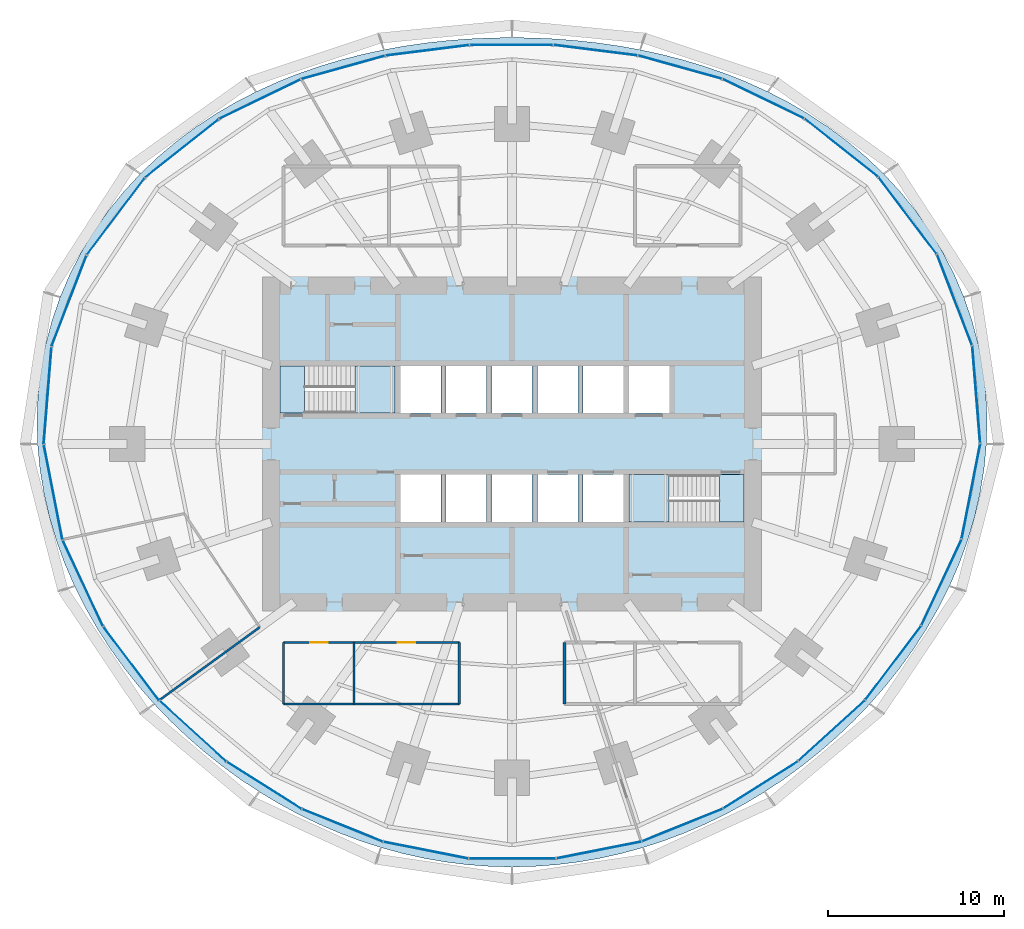
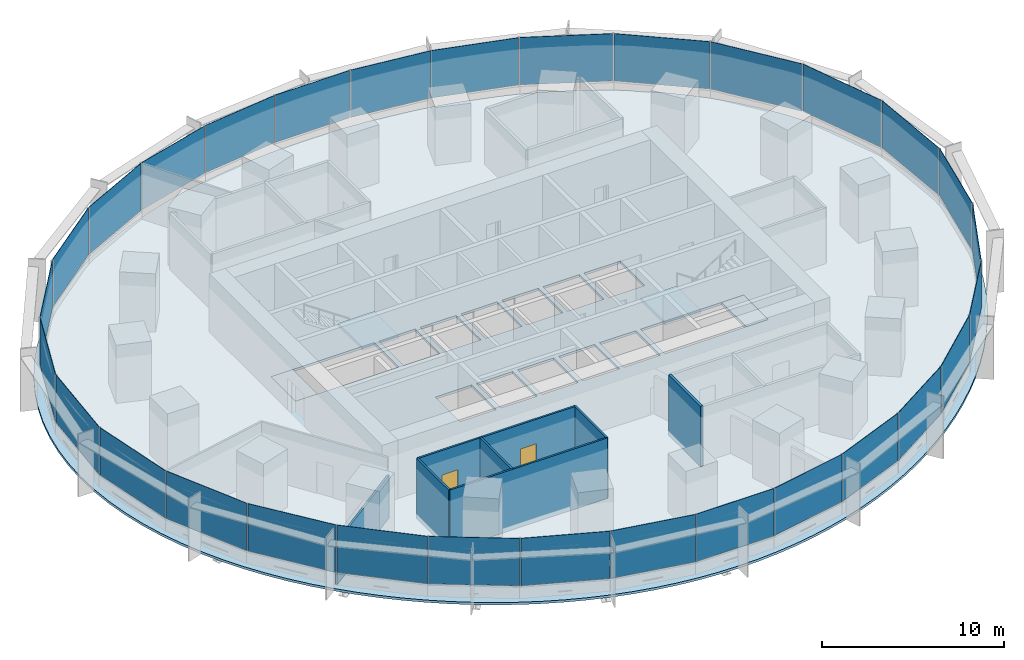
# One storey, part 10 of 15: 30 plates, 7 walls, 5 slabs, 2 doors, 2 openings, 8 elements without a shape of their own.
"""IFC4 building model written with IfcOpenShell, lengths in metres."""

from ifc_helpers import new_model, si_unit, direction, frame, frame_2d, origin, origin_2d, place, context, subcontext, project, spatial, polyline, rectangle, outline, extrude, material, layer, layer_set, type_object, element, fill, aggregate, save


model = new_model("IFC4")

# Units and contexts
model_context = context("Model", 3, precision=1e-05, world=origin(), true_north=direction((0.0, 1.0)))
body_context = subcontext(model_context, "Body", "Model", "MODEL_VIEW")
ifc_project = project(units=[si_unit("LENGTHUNIT", "METRE"), si_unit("AREAUNIT", "SQUARE_METRE"), si_unit("VOLUMEUNIT", "CUBIC_METRE"), si_unit("PLANEANGLEUNIT", "RADIAN"), si_unit("MASSUNIT", "GRAM", prefix="KILO")], contexts=[model_context])

# Site, building, storey
site_placement = place(None, origin())
site = spatial("IfcSite", under=ifc_project, at=site_placement, CompositionType="ELEMENT")
building_placement = place(site_placement, origin())
building = spatial("IfcBuilding", under=site, at=building_placement, Name="Marramba Exchange Tower", CompositionType="ELEMENT")
storey_placement = place(building_placement, frame((0.0, 0.0, 23.800048828125)))
storey = spatial("IfcBuildingStorey", under=building, at=storey_placement, Name="L05", CompositionType="ELEMENT", Elevation=23.800048828125)

# Slab
ifc_material_1 = material(Name="Concrete N40", Category="concrete")
ifc_layer_1 = layer(ifc_material_1, 0.159912109375)
ifc_layer_set_1 = layer_set([ifc_layer_1], Name="Composite floor slab 160")
slab_type_1 = type_object("IfcSlabType", Name="Composite floor slab 160", PredefinedType="FLOOR", material=ifc_layer_set_1)
slab_1_placement = place(storey_placement, frame((0.0, 0.0, -0.16015625)))
element("IfcSlab", 1, at=slab_1_placement, inside=storey, type_object=slab_type_1, Name="Floor slab L05", PredefinedType="FLOOR", context=body_context, shape_type="SweptSolid", body=[
    extrude(outline(polyline([(27.0, 0.0), (27.035888671875, 1.4169921875), (26.97265625, 2.8349609375), (26.80859375, 4.24609375), (26.5439453125, 5.64208984375), (26.179443359375, 7.0146484375), (25.717529296875, 8.356201171875), (25.16162109375, 9.65869140625), (24.516357421875, 10.915283203125), (23.786865234375, 12.1201171875), (22.9794921875, 13.267333984375), (22.10107421875, 14.3525390625), (21.158447265625, 15.37255859375), (20.159423828125, 16.32470703125), (19.11083984375, 17.20751953125), (18.020263671875, 18.020263671875), (16.89453125, 18.763427734375), (15.740478515625, 19.437744140625), (14.563720703125, 20.04541015625), (13.3701171875, 20.588134765625), (12.164306640625, 21.069091796875), (10.9501953125, 21.4912109375), (9.7314453125, 21.857421875), (8.5107421875, 22.1708984375), (7.289794921875, 22.435302734375), (6.06982421875, 22.6533203125), (4.85205078125, 22.827392578125), (3.636474609375, 22.96044921875), (2.423095703125, 23.053955078125), (1.211181640625, 23.109619140625), (0.0, 23.1279296875), (-1.211181640625, 23.109619140625), (-2.423095703125, 23.053955078125), (-3.636474609375, 22.96044921875), (-4.85205078125, 22.827392578125), (-6.06982421875, 22.6533203125), (-7.289794921875, 22.435302734375), (-8.5107421875, 22.1708984375), (-9.7314453125, 21.857421875), (-10.9501953125, 21.4912109375), (-12.164306640625, 21.069091796875), (-13.3701171875, 20.588134765625), (-14.563720703125, 20.04541015625), (-15.740478515625, 19.437744140625), (-16.89453125, 18.763427734375), (-18.020263671875, 18.020263671875), (-19.11083984375, 17.20751953125), (-20.159423828125, 16.32470703125), (-21.158447265625, 15.37255859375), (-22.10107421875, 14.3525390625), (-22.9794921875, 13.267333984375), (-23.786865234375, 12.1201171875), (-24.516357421875, 10.915283203125), (-25.16162109375, 9.65869140625), (-25.717529296875, 8.356201171875), (-26.179443359375, 7.0146484375), (-26.5439453125, 5.64208984375), (-26.80859375, 4.24609375), (-26.97265625, 2.8349609375), (-27.035888671875, 1.4169921875), (-27.0, 0.0), (-26.8671875, -1.407958984375), (-26.64111328125, -2.800048828125), (-26.326171875, -4.169677734375), (-25.927001953125, -5.510986328125), (-25.44921875, -6.819091796875), (-24.8984375, -8.090087890625), (-24.280517578125, -9.320556640625), (-23.60107421875, -10.5078125), (-22.865234375, -11.650390625), (-22.078369140625, -12.7470703125), (-21.244873046875, -13.796630859375), (-20.36865234375, -14.798583984375), (-19.453369140625, -15.753173828125), (-18.502197265625, -16.659423828125), (-17.517578125, -17.517578125), (-16.501953125, -18.327392578125), (-15.457275390625, -19.088134765625), (-14.385009765625, -19.799072265625), (-13.286865234375, -20.459716796875), (-12.164306640625, -21.069091796875), (-11.01904296875, -21.6259765625), (-9.8525390625, -22.129150390625), (-8.66650390625, -22.577392578125), (-7.463134765625, -22.968994140625), (-6.244140625, -23.30322265625), (-5.01171875, -23.578369140625), (-3.7685546875, -23.793701171875), (-2.51708984375, -23.947998046875), (-1.260009765625, -24.041015625), (0.0, -24.072021484375), (1.260009765625, -24.041015625), (2.51708984375, -23.947998046875), (3.7685546875, -23.793701171875), (5.01171875, -23.578369140625), (6.244140625, -23.30322265625), (7.463134765625, -22.968994140625), (8.66650390625, -22.577392578125), (9.8525390625, -22.129150390625), (11.01904296875, -21.6259765625), (12.164306640625, -21.069091796875), (13.286865234375, -20.459716796875), (14.385009765625, -19.799072265625), (15.457275390625, -19.088134765625), (16.501953125, -18.327392578125), (17.517578125, -17.517578125), (18.502197265625, -16.659423828125), (19.453369140625, -15.753173828125), (20.36865234375, -14.798583984375), (21.244873046875, -13.796630859375), (22.078369140625, -12.7470703125), (22.865234375, -11.650390625), (23.60107421875, -10.5078125), (24.280517578125, -9.320556640625), (24.8984375, -8.090087890625), (25.44921875, -6.819091796875), (25.927001953125, -5.510986328125), (26.326171875, -4.169677734375), (26.64111328125, -2.800048828125), (26.8671875, -1.407958984375), (27.0, 0.0)]), holes=[polyline([(-6.35009765625, 1.75), (-4.050048828125, 1.75), (-4.050048828125, 4.449951171875), (-6.35009765625, 4.449951171875), (-6.35009765625, 1.75)]), polyline([(-3.75, 1.75), (-1.449951171875, 1.75), (-1.449951171875, 4.449951171875), (-3.75, 4.449951171875), (-3.75, 1.75)]), polyline([(-1.14990234375, 1.75), (1.14990234375, 1.75), (1.14990234375, 4.449951171875), (-1.14990234375, 4.449951171875), (-1.14990234375, 1.75)]), polyline([(1.449951171875, 1.75), (3.75, 1.75), (3.75, 4.449951171875), (1.449951171875, 4.449951171875), (1.449951171875, 1.75)]), polyline([(4.050048828125, 1.75), (6.35009765625, 1.75), (6.35009765625, 4.449951171875), (4.050048828125, 4.449951171875), (4.050048828125, 1.75)]), polyline([(-6.35009765625, -4.449951171875), (-4.050048828125, -4.449951171875), (-4.050048828125, -1.75), (-6.35009765625, -1.75), (-6.35009765625, -4.449951171875)]), polyline([(-3.75, -4.449951171875), (-1.449951171875, -4.449951171875), (-1.449951171875, -1.75), (-3.75, -1.75), (-3.75, -4.449951171875)]), polyline([(-1.14990234375, -4.449951171875), (1.14990234375, -4.449951171875), (1.14990234375, -1.75), (-1.14990234375, -1.75), (-1.14990234375, -4.449951171875)]), polyline([(1.449951171875, -4.449951171875), (3.75, -4.449951171875), (3.75, -1.75), (1.449951171875, -1.75), (1.449951171875, -4.449951171875)]), polyline([(4.050048828125, -4.449951171875), (6.35009765625, -4.449951171875), (6.35009765625, -1.75), (4.050048828125, -1.75), (4.050048828125, -4.449951171875)]), polyline([(6.64990234375, 1.75), (8.949951171875, 1.75), (8.949951171875, 4.449951171875), (6.64990234375, 4.449951171875), (6.64990234375, 1.75)]), polyline([(-13.199951171875, 1.75), (-6.64990234375, 1.75), (-6.64990234375, 4.449951171875), (-13.199951171875, 4.449951171875), (-13.199951171875, 1.75)]), polyline([(6.64990234375, -4.449951171875), (13.199951171875, -4.449951171875), (13.199951171875, -1.75), (6.64990234375, -1.75), (6.64990234375, -4.449951171875)])]), origin(), (0.0, 0.0, 1.0), 0.16015625),
])

# Stair, slabs
ifc_material_2 = material(Name="Concrete N40 (40 MPa)", Category="concrete")
stair_type_1 = type_object("IfcStairType", Name="Exit stair ST1 4200 x 1250", PredefinedType="HALF_TURN_STAIR", material=ifc_material_2)
stair_1_placement = place(storey_placement, origin())
stair_1 = element("IfcStair", 2, at=stair_1_placement, inside=storey, type_object=stair_type_1, Name="Exit stair ST1 L05", PredefinedType="HALF_TURN_STAIR")
ifc_layer_2 = layer(ifc_material_2, 0.199951171875)
ifc_layer_set_2 = layer_set([ifc_layer_2], Name="Stair landing 200")
slab_type_2 = type_object("IfcSlabType", Name="Stair landing 200", PredefinedType="LANDING", material=ifc_layer_set_2)
slab_2_placement = place(storey_placement, frame((0.0, 0.0, -0.199951171875)))
slab_2 = element("IfcSlab", 3, at=slab_2_placement, type_object=slab_type_2, Name="ST1 landing 1", PredefinedType="LANDING", context=body_context, shape_type="SweptSolid", body=[
    extrude(outline(polyline([(-13.199951171875, 1.75), (-11.800048828125, 1.75), (-11.800048828125, 4.449951171875), (-13.199951171875, 4.449951171875), (-13.199951171875, 1.75)])), origin(), (0.0, 0.0, 1.0), 0.199951171875),
])
slab_3_placement = place(storey_placement, frame((0.0, 0.0, 1.89990234375)))
slab_3 = element("IfcSlab", 4, at=slab_3_placement, type_object=slab_type_2, Name="ST1 landing 2", PredefinedType="LANDING", context=body_context, shape_type="SweptSolid", body=[
    extrude(outline(polyline([(-8.93994140625, 1.75), (-6.64990234375, 1.75), (-6.64990234375, 4.449951171875), (-8.93994140625, 4.449951171875), (-8.93994140625, 1.75)])), origin(), (0.0, 0.0, 1.0), 0.199951171875),
])
aggregate(stair_1, [slab_2, slab_3])

stair_type_2 = type_object("IfcStairType", Name="Exit stair ST2 4200 x 1250", PredefinedType="HALF_TURN_STAIR", material=ifc_material_2)
stair_2_placement = place(storey_placement, origin())
stair_2 = element("IfcStair", 5, at=stair_2_placement, inside=storey, type_object=stair_type_2, Name="Exit stair ST2 L05", PredefinedType="HALF_TURN_STAIR")
slab_4_placement = place(storey_placement, frame((0.0, 0.0, -0.199951171875)))
slab_4 = element("IfcSlab", 6, at=slab_4_placement, type_object=slab_type_2, Name="ST2 landing 1", PredefinedType="LANDING", context=body_context, shape_type="SweptSolid", body=[
    extrude(outline(polyline([(11.800048828125, -4.449951171875), (13.199951171875, -4.449951171875), (13.199951171875, -1.75), (11.800048828125, -1.75), (11.800048828125, -4.449951171875)])), origin(), (0.0, 0.0, 1.0), 0.199951171875),
])
slab_5_placement = place(storey_placement, frame((0.0, 0.0, 1.89990234375)))
slab_5 = element("IfcSlab", 7, at=slab_5_placement, type_object=slab_type_2, Name="ST2 landing 2", PredefinedType="LANDING", context=body_context, shape_type="SweptSolid", body=[
    extrude(outline(polyline([(6.64990234375, -4.449951171875), (8.93994140625, -4.449951171875), (8.93994140625, -1.75), (6.64990234375, -1.75), (6.64990234375, -4.449951171875)])), origin(), (0.0, 0.0, 1.0), 0.199951171875),
])
aggregate(stair_2, [slab_4, slab_5])

# Curtain wall, plates
ifc_material_3 = material(Name="Aluminium framing, bronze anodised", Category="aluminium")
curtain_wall_type = type_object("IfcCurtainWallType", Name="Trading floor ribbon curtain wall", PredefinedType="USERDEFINED", material=ifc_material_3)
curtain_wall_1_placement = place(storey_placement, origin())
curtain_wall_1 = element("IfcCurtainWall", 8, at=curtain_wall_1_placement, inside=storey, type_object=curtain_wall_type, Name="Curtain wall CW3 L05 F01-F05", ObjectType="RIBBON CURTAIN WALL", PredefinedType="USERDEFINED")
ifc_material_4 = material(Name="Double glazed unit 10 + 12 + 8.76, bronze tinted", Category="glass")
ifc_layer_3 = layer(ifc_material_4, 0.03076171875)
ifc_layer_set_3 = layer_set([ifc_layer_3], Name="Trading floor ribbon curtain wall panel")
plate_type = type_object("IfcPlateType", Name="Trading floor ribbon curtain wall panel", PredefinedType="CURTAIN_PANEL", material=ifc_layer_set_3)
plate_1_placement = place(storey_placement, frame((26.42333984375, 2.814453125, 0.85986328125), z_axis=(0.0, 0.0, 1.0), x_axis=(-0.080275225953, 0.996772736434, 0.0)))
plate_1 = element("IfcPlate", 9, at=plate_1_placement, type_object=plate_type, Name="CW3 vision panel", PredefinedType="CURTAIN_PANEL", context=body_context, shape_type="SweptSolid", body=[
    extrude(rectangle(XDim=5.52734375, YDim=0.03076171875, at=origin_2d()), origin(), (0.0, 0.0, 1.0), 3.179931640625),
])
plate_2_placement = place(storey_placement, frame((25.188232421875, 8.19921875, 0.85986328125), z_axis=(0.0, 0.0, 1.0), x_axis=(-0.359525510698, 0.933135256626, 0.0)))
plate_2 = element("IfcPlate", 10, at=plate_2_placement, type_object=plate_type, Name="CW3 vision panel", PredefinedType="CURTAIN_PANEL", context=body_context, shape_type="SweptSolid", body=[
    extrude(rectangle(XDim=5.5166015625, YDim=0.03076171875, at=origin_2d()), origin(), (0.0, 0.0, 1.0), 3.179931640625),
])
plate_3_placement = place(storey_placement, frame((22.517822265625, 12.993896484375, 0.85986328125), z_axis=(0.0, 0.0, 1.0), x_axis=(-0.602989765036, 0.797748922445, 0.0)))
plate_3 = element("IfcPlate", 11, at=plate_3_placement, type_object=plate_type, Name="CW3 vision panel", PredefinedType="CURTAIN_PANEL", context=body_context, shape_type="SweptSolid", body=[
    extrude(rectangle(XDim=5.44775390625, YDim=0.03076171875, at=origin_2d()), origin(), (0.0, 0.0, 1.0), 3.179931640625),
])
plate_4_placement = place(storey_placement, frame((18.744384765625, 16.853759765625, 0.85986328125), z_axis=(0.0, 0.0, 1.0), x_axis=(-0.784087949432, 0.620649730166, 0.0)))
plate_4 = element("IfcPlate", 12, at=plate_4_placement, type_object=plate_type, Name="CW3 vision panel", PredefinedType="CURTAIN_PANEL", context=body_context, shape_type="SweptSolid", body=[
    extrude(rectangle(XDim=5.315673828125, YDim=0.03076171875, at=origin_2d()), origin(), (0.0, 0.0, 1.0), 3.179931640625),
])
plate_5_placement = place(storey_placement, frame((14.2978515625, 19.647705078125, 0.85986328125), z_axis=(0.0, 0.0, 1.0), x_axis=(-0.899963433508, 0.43596538664, 0.0)))
plate_5 = element("IfcPlate", 13, at=plate_5_placement, type_object=plate_type, Name="CW3 vision panel", PredefinedType="CURTAIN_PANEL", context=body_context, shape_type="SweptSolid", body=[
    extrude(rectangle(XDim=5.13037109375, YDim=0.03076171875, at=origin_2d()), origin(), (0.0, 0.0, 1.0), 3.179931640625),
])
aggregate(curtain_wall_1, [plate_1, plate_2, plate_3, plate_4, plate_5])

curtain_wall_2_placement = place(storey_placement, origin())
curtain_wall_2 = element("IfcCurtainWall", 14, at=curtain_wall_2_placement, inside=storey, type_object=curtain_wall_type, Name="Curtain wall CW3 L05 F06-F10", ObjectType="RIBBON CURTAIN WALL", PredefinedType="USERDEFINED")
plate_6_placement = place(storey_placement, frame((9.556396484375, 21.4423828125, 0.85986328125), z_axis=(0.0, 0.0, 1.0), x_axis=(-0.963472096649, 0.267808735815, 0.0)))
plate_6 = element("IfcPlate", 15, at=plate_6_placement, type_object=plate_type, Name="CW3 vision panel", PredefinedType="CURTAIN_PANEL", context=body_context, shape_type="SweptSolid", body=[
    extrude(rectangle(XDim=4.929931640625, YDim=0.03076171875, at=origin_2d()), origin(), (0.0, 0.0, 1.0), 3.179931640625),
])
plate_7_placement = place(storey_placement, frame((4.754150390625, 22.407958984375, 0.85986328125), z_axis=(0.0, 0.0, 1.0), x_axis=(-0.992172768738, 0.124872723099, 0.0)))
plate_7 = element("IfcPlate", 16, at=plate_7_placement, type_object=plate_type, Name="CW3 vision panel", PredefinedType="CURTAIN_PANEL", context=body_context, shape_type="SweptSolid", body=[
    extrude(rectangle(XDim=4.77294921875, YDim=0.03076171875, at=origin_2d()), origin(), (0.0, 0.0, 1.0), 3.179931640625),
])
plate_8_placement = place(storey_placement, frame((-0.030029296875, 22.7060546875, 0.85986328125), z_axis=(0.0, 0.0, 1.0), x_axis=(-1.0, 0.0, 0.0)))
plate_8 = element("IfcPlate", 17, at=plate_8_placement, type_object=plate_type, Name="CW3 vision panel", PredefinedType="CURTAIN_PANEL", context=body_context, shape_type="SweptSolid", body=[
    extrude(rectangle(XDim=4.712890625, YDim=0.03076171875, at=origin_2d()), origin(), (0.0, 0.0, 1.0), 3.179931640625),
])
plate_9_placement = place(storey_placement, frame((-4.813720703125, 22.400390625, 0.85986328125), z_axis=(0.0, 0.0, 1.0), x_axis=(-0.992172768738, -0.124872723099, 0.0)))
plate_9 = element("IfcPlate", 18, at=plate_9_placement, type_object=plate_type, Name="CW3 vision panel", PredefinedType="CURTAIN_PANEL", context=body_context, shape_type="SweptSolid", body=[
    extrude(rectangle(XDim=4.77294921875, YDim=0.03076171875, at=origin_2d()), origin(), (0.0, 0.0, 1.0), 3.179931640625),
])
plate_10_placement = place(storey_placement, frame((-9.6142578125, 21.42626953125, 0.85986328125), z_axis=(0.0, 0.0, 1.0), x_axis=(-0.963472096649, -0.267808735815, 0.0)))
plate_10 = element("IfcPlate", 19, at=plate_10_placement, type_object=plate_type, Name="CW3 vision panel", PredefinedType="CURTAIN_PANEL", context=body_context, shape_type="SweptSolid", body=[
    extrude(rectangle(XDim=4.929931640625, YDim=0.03076171875, at=origin_2d()), origin(), (0.0, 0.0, 1.0), 3.179931640625),
])
aggregate(curtain_wall_2, [plate_6, plate_7, plate_8, plate_9, plate_10])

curtain_wall_3_placement = place(storey_placement, origin())
curtain_wall_3 = element("IfcCurtainWall", 20, at=curtain_wall_3_placement, inside=storey, type_object=curtain_wall_type, Name="Curtain wall CW3 L05 F11-F15", ObjectType="RIBBON CURTAIN WALL", PredefinedType="USERDEFINED")
plate_11_placement = place(storey_placement, frame((-14.351806640625, 19.62158203125, 0.85986328125), z_axis=(0.0, 0.0, 1.0), x_axis=(-0.899963433508, -0.43596538664, 0.0)))
plate_11 = element("IfcPlate", 21, at=plate_11_placement, type_object=plate_type, Name="CW3 vision panel", PredefinedType="CURTAIN_PANEL", context=body_context, shape_type="SweptSolid", body=[
    extrude(rectangle(XDim=5.13037109375, YDim=0.03076171875, at=origin_2d()), origin(), (0.0, 0.0, 1.0), 3.179931640625),
])
plate_12_placement = place(storey_placement, frame((-18.79150390625, 16.81640625, 0.85986328125), z_axis=(0.0, 0.0, 1.0), x_axis=(-0.784087949432, -0.620649730166, 0.0)))
plate_12 = element("IfcPlate", 22, at=plate_12_placement, type_object=plate_type, Name="CW3 vision panel", PredefinedType="CURTAIN_PANEL", context=body_context, shape_type="SweptSolid", body=[
    extrude(rectangle(XDim=5.315673828125, YDim=0.03076171875, at=origin_2d()), origin(), (0.0, 0.0, 1.0), 3.179931640625),
])
plate_13_placement = place(storey_placement, frame((-22.553955078125, 12.946044921875, 0.85986328125), z_axis=(0.0, 0.0, 1.0), x_axis=(-0.602989765036, -0.797748922445, 0.0)))
plate_13 = element("IfcPlate", 23, at=plate_13_placement, type_object=plate_type, Name="CW3 vision panel", PredefinedType="CURTAIN_PANEL", context=body_context, shape_type="SweptSolid", body=[
    extrude(rectangle(XDim=5.44775390625, YDim=0.03076171875, at=origin_2d()), origin(), (0.0, 0.0, 1.0), 3.179931640625),
])
plate_14_placement = place(storey_placement, frame((-25.209716796875, 8.14306640625, 0.85986328125), z_axis=(0.0, 0.0, 1.0), x_axis=(-0.359525510698, -0.933135256626, 0.0)))
plate_14 = element("IfcPlate", 24, at=plate_14_placement, type_object=plate_type, Name="CW3 vision panel", PredefinedType="CURTAIN_PANEL", context=body_context, shape_type="SweptSolid", body=[
    extrude(rectangle(XDim=5.5166015625, YDim=0.03076171875, at=origin_2d()), origin(), (0.0, 0.0, 1.0), 3.179931640625),
])
plate_15_placement = place(storey_placement, frame((-26.42822265625, 2.754638671875, 0.85986328125), z_axis=(0.0, 0.0, 1.0), x_axis=(-0.080275225953, -0.996772736434, 0.0)))
plate_15 = element("IfcPlate", 25, at=plate_15_placement, type_object=plate_type, Name="CW3 vision panel", PredefinedType="CURTAIN_PANEL", context=body_context, shape_type="SweptSolid", body=[
    extrude(rectangle(XDim=5.52734375, YDim=0.03076171875, at=origin_2d()), origin(), (0.0, 0.0, 1.0), 3.179931640625),
])
aggregate(curtain_wall_3, [plate_11, plate_12, plate_13, plate_14, plate_15])

curtain_wall_4_placement = place(storey_placement, origin())
curtain_wall_4 = element("IfcCurtainWall", 26, at=curtain_wall_4_placement, inside=storey, type_object=curtain_wall_type, Name="Curtain wall CW3 L05 F16-F20", ObjectType="RIBBON CURTAIN WALL", PredefinedType="USERDEFINED")
plate_16_placement = place(storey_placement, frame((-26.111572265625, -2.74853515625, 0.85986328125), z_axis=(0.0, 0.0, 1.0), x_axis=(0.1922485756, -0.981346261612, 0.0)))
plate_16 = element("IfcPlate", 27, at=plate_16_placement, type_object=plate_type, Name="CW3 vision panel", PredefinedType="CURTAIN_PANEL", context=body_context, shape_type="SweptSolid", body=[
    extrude(rectangle(XDim=5.4814453125, YDim=0.03076171875, at=origin_2d()), origin(), (0.0, 0.0, 1.0), 3.179931640625),
])
plate_17_placement = place(storey_placement, frame((-24.420166015625, -7.928955078125, 0.85986328125), z_axis=(0.0, 0.0, 1.0), x_axis=(0.423477206492, -0.905906758768, 0.0)))
plate_17 = element("IfcPlate", 28, at=plate_17_placement, type_object=plate_type, Name="CW3 vision panel", PredefinedType="CURTAIN_PANEL", context=body_context, shape_type="SweptSolid", body=[
    extrude(rectangle(XDim=5.379150390625, YDim=0.03076171875, at=origin_2d()), origin(), (0.0, 0.0, 1.0), 3.179931640625),
])
plate_18_placement = place(storey_placement, frame((-21.665283203125, -12.503173828125, 0.85986328125), z_axis=(0.0, 0.0, 1.0), x_axis=(0.603040473588, -0.797710591138, 0.0)))
plate_18 = element("IfcPlate", 29, at=plate_18_placement, type_object=plate_type, Name="CW3 vision panel", PredefinedType="CURTAIN_PANEL", context=body_context, shape_type="SweptSolid", body=[
    extrude(rectangle(XDim=5.239501953125, YDim=0.03076171875, at=origin_2d()), origin(), (0.0, 0.0, 1.0), 3.179931640625),
])
plate_19_placement = place(storey_placement, frame((-18.154541015625, -16.350341796875, 0.85986328125), z_axis=(0.0, 0.0, 1.0), x_axis=(0.739589581463, -0.673058133441, 0.0)))
plate_19 = element("IfcPlate", 30, at=plate_19_placement, type_object=plate_type, Name="CW3 vision panel", PredefinedType="CURTAIN_PANEL", context=body_context, shape_type="SweptSolid", body=[
    extrude(rectangle(XDim=5.101806640625, YDim=0.03076171875, at=origin_2d()), origin(), (0.0, 0.0, 1.0), 3.179931640625),
])
plate_20_placement = place(storey_placement, frame((-14.103271484375, -19.4326171875, 0.85986328125), z_axis=(0.0, 0.0, 1.0), x_axis=(0.845790826298, -0.533514646612, 0.0)))
plate_20 = element("IfcPlate", 31, at=plate_20_placement, type_object=plate_type, Name="CW3 vision panel", PredefinedType="CURTAIN_PANEL", context=body_context, shape_type="SweptSolid", body=[
    extrude(rectangle(XDim=4.99853515625, YDim=0.03076171875, at=origin_2d()), origin(), (0.0, 0.0, 1.0), 3.179931640625),
])
aggregate(curtain_wall_4, [plate_16, plate_17, plate_18, plate_19, plate_20])

curtain_wall_5_placement = place(storey_placement, origin())
curtain_wall_5 = element("IfcCurtainWall", 32, at=curtain_wall_5_placement, inside=storey, type_object=curtain_wall_type, Name="Curtain wall CW3 L05 F21-F25", ObjectType="RIBBON CURTAIN WALL", PredefinedType="USERDEFINED")
plate_21_placement = place(storey_placement, frame((-9.644287109375, -21.71240234375, 0.85986328125), z_axis=(0.0, 0.0, 1.0), x_axis=(0.927340673283, -0.374218219325, 0.0)))
plate_21 = element("IfcPlate", 33, at=plate_21_placement, type_object=plate_type, Name="CW3 vision panel", PredefinedType="CURTAIN_PANEL", context=body_context, shape_type="SweptSolid", body=[
    extrude(rectangle(XDim=4.9375, YDim=0.03076171875, at=origin_2d()), origin(), (0.0, 0.0, 1.0), 3.179931640625),
])
plate_22_placement = place(storey_placement, frame((-4.88818359375, -23.1240234375, 0.85986328125), z_axis=(0.0, 0.0, 1.0), x_axis=(0.98100920064, -0.193961202977, 0.0)))
plate_22 = element("IfcPlate", 34, at=plate_22_placement, type_object=plate_type, Name="CW3 vision panel", PredefinedType="CURTAIN_PANEL", context=body_context, shape_type="SweptSolid", body=[
    extrude(rectangle(XDim=4.908935546875, YDim=0.03076171875, at=origin_2d()), origin(), (0.0, 0.0, 1.0), 3.179931640625),
])
plate_23_placement = place(storey_placement, frame((0.030029296875, -23.599853515625, 0.85986328125), z_axis=(0.0, 0.0, 1.0), x_axis=(1.0, 0.0, 0.0)))
plate_23 = element("IfcPlate", 35, at=plate_23_placement, type_object=plate_type, Name="CW3 vision panel", PredefinedType="CURTAIN_PANEL", context=body_context, shape_type="SweptSolid", body=[
    extrude(rectangle(XDim=4.90087890625, YDim=0.03076171875, at=origin_2d()), origin(), (0.0, 0.0, 1.0), 3.179931640625),
])
plate_24_placement = place(storey_placement, frame((4.947021484375, -23.1123046875, 0.85986328125), z_axis=(0.0, 0.0, 1.0), x_axis=(0.98100920064, 0.193961202977, 0.0)))
plate_24 = element("IfcPlate", 36, at=plate_24_placement, type_object=plate_type, Name="CW3 vision panel", PredefinedType="CURTAIN_PANEL", context=body_context, shape_type="SweptSolid", body=[
    extrude(rectangle(XDim=4.908935546875, YDim=0.03076171875, at=origin_2d()), origin(), (0.0, 0.0, 1.0), 3.179931640625),
])
plate_25_placement = place(storey_placement, frame((9.699951171875, -21.68994140625, 0.85986328125), z_axis=(0.0, 0.0, 1.0), x_axis=(0.927340673283, 0.374218219325, 0.0)))
plate_25 = element("IfcPlate", 37, at=plate_25_placement, type_object=plate_type, Name="CW3 vision panel", PredefinedType="CURTAIN_PANEL", context=body_context, shape_type="SweptSolid", body=[
    extrude(rectangle(XDim=4.9375, YDim=0.03076171875, at=origin_2d()), origin(), (0.0, 0.0, 1.0), 3.179931640625),
])
aggregate(curtain_wall_5, [plate_21, plate_22, plate_23, plate_24, plate_25])

curtain_wall_6_placement = place(storey_placement, origin())
curtain_wall_6 = element("IfcCurtainWall", 38, at=curtain_wall_6_placement, inside=storey, type_object=curtain_wall_type, Name="Curtain wall CW3 L05 F26-F30", ObjectType="RIBBON CURTAIN WALL", PredefinedType="USERDEFINED")
plate_26_placement = place(storey_placement, frame((14.15380859375, -19.400634765625, 0.85986328125), z_axis=(0.0, 0.0, 1.0), x_axis=(0.845790826298, 0.533514646612, 0.0)))
plate_26 = element("IfcPlate", 39, at=plate_26_placement, type_object=plate_type, Name="CW3 vision panel", PredefinedType="CURTAIN_PANEL", context=body_context, shape_type="SweptSolid", body=[
    extrude(rectangle(XDim=4.99853515625, YDim=0.03076171875, at=origin_2d()), origin(), (0.0, 0.0, 1.0), 3.179931640625),
])
plate_27_placement = place(storey_placement, frame((18.19873046875, -16.309814453125, 0.85986328125), z_axis=(0.0, 0.0, 1.0), x_axis=(0.739589581463, 0.673058133441, 0.0)))
plate_27 = element("IfcPlate", 40, at=plate_27_placement, type_object=plate_type, Name="CW3 vision panel", PredefinedType="CURTAIN_PANEL", context=body_context, shape_type="SweptSolid", body=[
    extrude(rectangle(XDim=5.101806640625, YDim=0.03076171875, at=origin_2d()), origin(), (0.0, 0.0, 1.0), 3.179931640625),
])
plate_28_placement = place(storey_placement, frame((21.701416015625, -12.455322265625, 0.85986328125), z_axis=(0.0, 0.0, 1.0), x_axis=(0.603040473588, 0.797710591138, 0.0)))
plate_28 = element("IfcPlate", 41, at=plate_28_placement, type_object=plate_type, Name="CW3 vision panel", PredefinedType="CURTAIN_PANEL", context=body_context, shape_type="SweptSolid", body=[
    extrude(rectangle(XDim=5.239501953125, YDim=0.03076171875, at=origin_2d()), origin(), (0.0, 0.0, 1.0), 3.179931640625),
])
plate_29_placement = place(storey_placement, frame((24.44580078125, -7.874755859375, 0.85986328125), z_axis=(0.0, 0.0, 1.0), x_axis=(0.423477206492, 0.905906758768, 0.0)))
plate_29 = element("IfcPlate", 42, at=plate_29_placement, type_object=plate_type, Name="CW3 vision panel", PredefinedType="CURTAIN_PANEL", context=body_context, shape_type="SweptSolid", body=[
    extrude(rectangle(XDim=5.379150390625, YDim=0.03076171875, at=origin_2d()), origin(), (0.0, 0.0, 1.0), 3.179931640625),
])
plate_30_placement = place(storey_placement, frame((26.123046875, -2.689697265625, 0.85986328125), z_axis=(0.0, 0.0, 1.0), x_axis=(0.1922485756, 0.981346261612, 0.0)))
plate_30 = element("IfcPlate", 43, at=plate_30_placement, type_object=plate_type, Name="CW3 vision panel", PredefinedType="CURTAIN_PANEL", context=body_context, shape_type="SweptSolid", body=[
    extrude(rectangle(XDim=5.4814453125, YDim=0.03076171875, at=origin_2d()), origin(), (0.0, 0.0, 1.0), 3.179931640625),
])
aggregate(curtain_wall_6, [plate_26, plate_27, plate_28, plate_29, plate_30])

# Walls
ifc_material_5 = material(Name="Plasterboard on staggered double steel studs, acoustic insulation", Category="steel")
ifc_layer_4 = layer(ifc_material_5, 0.169921875)
ifc_layer_set_4 = layer_set([ifc_layer_4], Name="Acoustic partition 170")
wall_type_1 = type_object("IfcWallType", Name="Acoustic partition 170", PredefinedType="PARTITIONING", material=ifc_layer_set_4)
wall_1_placement = place(storey_placement, frame((3.0, -11.300048828125, 0.0), z_axis=(0.0, 0.0, 1.0), x_axis=(0.0, -1.0, 0.0)))
element("IfcWall", 44, at=wall_1_placement, inside=storey, type_object=wall_type_1, Name="Acoustic partition L05 09", PredefinedType="PARTITIONING", context=body_context, shape_type="SweptSolid", body=[
    extrude(rectangle(XDim=3.5, YDim=0.169921875, at=frame_2d((1.75, 0.0))), origin(), (0.0, 0.0, 1.0), 4.0400390625),
])
ifc_material_6 = material(Name="Plasterboard on steel studs", Category="steel")
ifc_layer_5 = layer(ifc_material_6, 0.1201171875)
ifc_layer_set_5 = layer_set([ifc_layer_5], Name="Partition 120")
wall_type_2 = type_object("IfcWallType", Name="Partition 120", PredefinedType="PARTITIONING", material=ifc_layer_set_5)
wall_2_placement = place(storey_placement, frame((-20.020751953125, -14.5458984375, 0.0), z_axis=(0.0, 0.0, 1.0), x_axis=(0.809015012105, 0.587787980643, 0.0)))
element("IfcWall", 45, at=wall_2_placement, inside=storey, type_object=wall_type_2, Name="Partition L05 03", PredefinedType="PARTITIONING", context=body_context, shape_type="SweptSolid", body=[
    extrude(rectangle(XDim=7.0, YDim=0.1201171875, at=frame_2d((3.5, 0.0))), origin(), (0.0, 0.0, 1.0), 2.83984375),
])
wall_3_placement = place(storey_placement, frame((-13.0, -14.800048828125, 0.0), z_axis=(0.0, 0.0, 1.0), x_axis=(0.0, 1.0, 0.0)))
element("IfcWall", 46, at=wall_3_placement, inside=storey, type_object=wall_type_2, Name="Partition L05 04", PredefinedType="PARTITIONING", context=body_context, shape_type="SweptSolid", body=[
    extrude(rectangle(XDim=3.5, YDim=0.1201171875, at=frame_2d((1.75, 0.0))), origin(), (0.0, 0.0, 1.0), 4.0400390625),
])

# Wall, openings, doors
wall_4_placement = place(storey_placement, frame((-13.0, -11.300048828125, 0.0), z_axis=(0.0, 0.0, 1.0), x_axis=(1.0, 0.0, 0.0)))
wall_4 = element("IfcWall", 47, at=wall_4_placement, inside=storey, type_object=wall_type_2, Name="Partition L05 05", PredefinedType="PARTITIONING", context=body_context, shape_type="SweptSolid", body=[
    extrude(rectangle(XDim=10.0, YDim=0.1201171875, at=frame_2d((5.0, 0.0))), origin(), (0.0, 0.0, 1.0), 4.0400390625),
])
opening_1_placement = place(wall_4_placement, frame((1.52587890625, 0.0, 0.0)))
opening_1 = element("IfcOpeningElement", 48, at=opening_1_placement, cuts=wall_4, Name="Opening D9", PredefinedType="OPENING", context=body_context, shape_type="SweptSolid", body=[
    extrude(rectangle(XDim=1.0, YDim=2.39990234375, at=frame_2d((0.5, 1.199951171875))), frame((0.0, 0.070068359375, 0.0), z_axis=(0.0, -1.0, 0.0), x_axis=(1.0, 0.0, 0.0)), (0.0, 0.0, 1.0), 0.14013671875),
])
opening_2_placement = place(wall_4_placement, frame((6.5, 0.0, 0.0)))
opening_2 = element("IfcOpeningElement", 49, at=opening_2_placement, cuts=wall_4, Name="Opening D9", PredefinedType="OPENING", context=body_context, shape_type="SweptSolid", body=[
    extrude(rectangle(XDim=1.0, YDim=2.39990234375, at=frame_2d((0.5, 1.199951171875))), frame((0.0, 0.070068359375, 0.0), z_axis=(0.0, -1.0, 0.0), x_axis=(1.0, 0.0, 0.0)), (0.0, 0.0, 1.0), 0.14013671875),
])
ifc_material_7 = material(Name="Timber door", Category="wood")
door_type = type_object("IfcDoorType", Name="Room door 1000x2400", OperationType="SINGLE_SWING_LEFT", PredefinedType="DOOR", material=ifc_material_7)
door_1_placement = place(opening_1_placement, frame((1.0, 0.0, 0.0), z_axis=(0.0, 0.0, 1.0), x_axis=(-1.0, 0.0, 0.0)))
door_1 = element("IfcDoor", 50, at=door_1_placement, inside=storey, type_object=door_type, Name="D9 Print Room L05", OperationType="SINGLE_SWING_LEFT", OverallHeight=2.39990234375, OverallWidth=1.0, PredefinedType="DOOR", context=body_context, shape_type="SweptSolid", body=[
    extrude(rectangle(XDim=1.0, YDim=2.39990234375, at=frame_2d((0.5, 1.199951171875))), frame((0.0, 0.025146484375, 0.0), z_axis=(0.0, -1.0, 0.0), x_axis=(1.0, 0.0, 0.0)), (0.0, 0.0, 1.0), 0.050048828125),
])
fill(opening_1, door_1)
door_2_placement = place(opening_2_placement, frame((1.0, 0.0, 0.0), z_axis=(0.0, 0.0, 1.0), x_axis=(-1.0, 0.0, 0.0)))
door_2 = element("IfcDoor", 51, at=door_2_placement, inside=storey, type_object=door_type, Name="D9 Pantry L05", OperationType="SINGLE_SWING_RIGHT", OverallHeight=2.39990234375, OverallWidth=1.0, PredefinedType="DOOR", context=body_context, shape_type="SweptSolid", body=[
    extrude(rectangle(XDim=1.0, YDim=2.39990234375, at=frame_2d((0.5, 1.199951171875))), frame((0.0, 0.025146484375, 0.0), z_axis=(0.0, -1.0, 0.0), x_axis=(1.0, 0.0, 0.0)), (0.0, 0.0, 1.0), 0.050048828125),
])
fill(opening_2, door_2)

# Walls
wall_5_placement = place(storey_placement, frame((-9.0, -11.300048828125, 0.0), z_axis=(0.0, 0.0, 1.0), x_axis=(0.0, -1.0, 0.0)))
element("IfcWall", 52, at=wall_5_placement, inside=storey, type_object=wall_type_2, Name="Partition L05 06", PredefinedType="PARTITIONING", context=body_context, shape_type="SweptSolid", body=[
    extrude(rectangle(XDim=3.5, YDim=0.1201171875, at=frame_2d((1.75, 0.0))), origin(), (0.0, 0.0, 1.0), 4.0400390625),
])
wall_6_placement = place(storey_placement, frame((-3.0, -14.800048828125, 0.0), z_axis=(0.0, 0.0, 1.0), x_axis=(-1.0, 0.0, 0.0)))
element("IfcWall", 53, at=wall_6_placement, inside=storey, type_object=wall_type_2, Name="Partition L05 07", PredefinedType="PARTITIONING", context=body_context, shape_type="SweptSolid", body=[
    extrude(rectangle(XDim=10.0, YDim=0.1201171875, at=frame_2d((5.0, 0.0))), origin(), (0.0, 0.0, 1.0), 4.0400390625),
])
wall_7_placement = place(storey_placement, frame((-3.0, -11.300048828125, 0.0), z_axis=(0.0, 0.0, 1.0), x_axis=(0.0, -1.0, 0.0)))
element("IfcWall", 54, at=wall_7_placement, inside=storey, type_object=wall_type_2, Name="Partition L05 08", PredefinedType="PARTITIONING", context=body_context, shape_type="SweptSolid", body=[
    extrude(rectangle(XDim=3.5, YDim=0.1201171875, at=frame_2d((1.75, 0.0))), origin(), (0.0, 0.0, 1.0), 4.0400390625),
])

save(model, "model.ifc")
